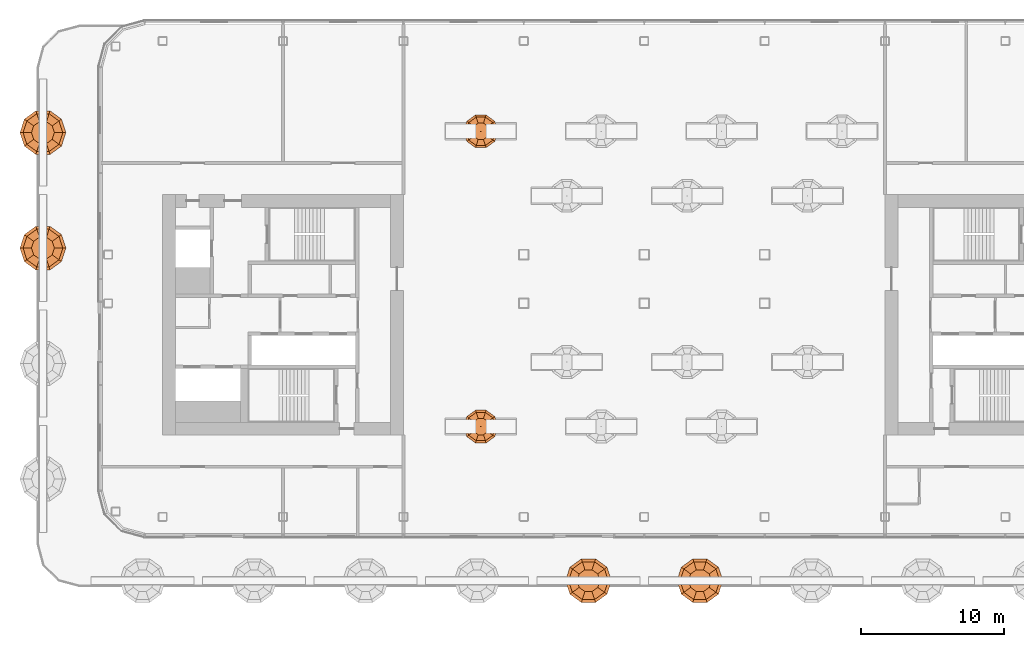
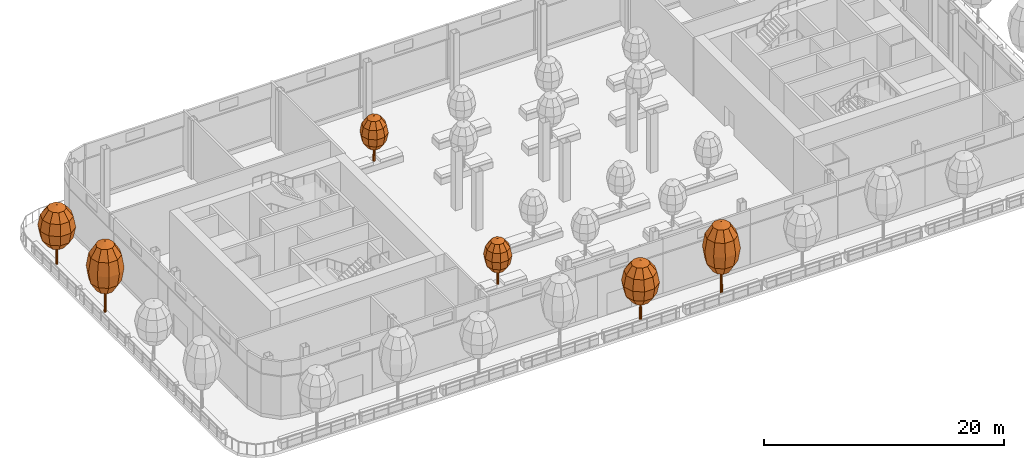
# One storey, part 37 of 41: 6 geographic elements.
"""IFC4 building model written with IfcOpenShell, lengths in metres."""

from ifc_helpers import new_model, si_unit, direction, frame, origin, place, context, subcontext, project, spatial, triangles, material, type_object, element, save


model = new_model("IFC4")

# Units and contexts
model_context = context("Model", 3, precision=1e-05, world=origin(), true_north=direction((0.0, 1.0)))
body_context = subcontext(model_context, "Body", "Model", "MODEL_VIEW")
ifc_project = project(units=[si_unit("LENGTHUNIT", "METRE"), si_unit("AREAUNIT", "SQUARE_METRE"), si_unit("VOLUMEUNIT", "CUBIC_METRE"), si_unit("PLANEANGLEUNIT", "RADIAN"), si_unit("MASSUNIT", "GRAM", prefix="KILO")], contexts=[model_context])

# Site, building, storey
site_placement = place(None, origin())
site = spatial("IfcSite", under=ifc_project, at=site_placement, CompositionType="ELEMENT")
building_placement = place(site_placement, origin())
building = spatial("IfcBuilding", under=site, at=building_placement, Name="Hakoniwa Tower and Hamabe Station Hall", CompositionType="ELEMENT")
storey_placement = place(building_placement, frame((0.0, 0.0, 180.199951171875)))
storey = spatial("IfcBuildingStorey", under=building, at=storey_placement, Name="L51", CompositionType="ELEMENT", Elevation=180.199951171875)

# Geographic elements
ifc_material_1 = material(Name="Tree foliage")
geographic_element_type_1 = type_object("IfcGeographicElementType", Name="Camellia 4.6 m", PredefinedType="USERDEFINED", material=ifc_material_1)
geographic_element_1_placement = place(storey_placement, frame((-11.39990234375, 12.800048828125, 0.60009765625)))
element("IfcGeographicElement", 1, at=geographic_element_1_placement, inside=storey, type_object=geographic_element_type_1, Name="Camellia 4-6 m", ObjectType="TREE", PredefinedType="USERDEFINED", context=body_context, shape_type="Tessellation", body=[
    triangles([(0.125, 0.0, 0.0), (0.08837890625, 0.08837890625, 0.0), (0.0, 0.125, 0.0), (-0.08837890625, 0.08837890625, 0.0), (-0.125, 0.0, 0.0), (-0.08837890625, -0.08837890625, 0.0), (0.0, -0.125, 0.0), (0.08837890625, -0.08837890625, 0.0), (0.074951171875, 0.0, 2.778564453125), (0.052978515625, 0.052978515625, 2.778564453125), (0.0, 0.074951171875, 2.778564453125), (-0.052978515625, 0.052978515625, 2.778564453125), (-0.074951171875, 0.0, 2.778564453125), (-0.052978515625, -0.052978515625, 2.778564453125), (0.0, -0.074951171875, 2.778564453125), (0.052978515625, -0.052978515625, 2.778564453125), (0.0, 0.0, 0.0), (0.0, 0.0, 2.778564453125)], [[1, 2, 10], [1, 10, 9], [17, 2, 1], [18, 9, 10], [2, 3, 11], [2, 11, 10], [17, 3, 2], [18, 10, 11], [3, 4, 12], [3, 12, 11], [17, 4, 3], [18, 11, 12], [4, 5, 13], [4, 13, 12], [17, 5, 4], [18, 12, 13], [5, 6, 14], [5, 14, 13], [17, 6, 5], [18, 13, 14], [6, 7, 15], [6, 15, 14], [17, 7, 6], [18, 14, 15], [7, 8, 16], [7, 16, 15], [17, 8, 7], [18, 15, 16], [8, 1, 9], [8, 9, 16], [17, 1, 8], [18, 16, 9]], closed=True),
    triangles([(0.0, 0.0, 1.2880859375), (0.599853515625, 0.0, 1.510009765625), (0.4853515625, 0.3525390625, 1.510009765625), (0.185302734375, 0.570556640625, 1.510009765625), (-0.185302734375, 0.570556640625, 1.510009765625), (-0.4853515625, 0.3525390625, 1.510009765625), (-0.599853515625, 0.0, 1.510009765625), (-0.4853515625, -0.3525390625, 1.510009765625), (-0.185302734375, -0.570556640625, 1.510009765625), (0.185302734375, -0.570556640625, 1.510009765625), (0.4853515625, -0.3525390625, 1.510009765625), (1.039306640625, 0.0, 2.115966796875), (0.8408203125, 0.61083984375, 2.115966796875), (0.321044921875, 0.98828125, 2.115966796875), (-0.321044921875, 0.98828125, 2.115966796875), (-0.8408203125, 0.61083984375, 2.115966796875), (-1.039306640625, 0.0, 2.115966796875), (-0.8408203125, -0.61083984375, 2.115966796875), (-0.321044921875, -0.98828125, 2.115966796875), (0.321044921875, -0.98828125, 2.115966796875), (0.8408203125, -0.61083984375, 2.115966796875), (1.199951171875, 0.0, 2.944091796875), (0.970703125, 0.705322265625, 2.944091796875), (0.370849609375, 1.14111328125, 2.944091796875), (-0.370849609375, 1.14111328125, 2.944091796875), (-0.970703125, 0.705322265625, 2.944091796875), (-1.199951171875, 0.0, 2.944091796875), (-0.970703125, -0.705322265625, 2.944091796875), (-0.370849609375, -1.14111328125, 2.944091796875), (0.370849609375, -1.14111328125, 2.944091796875), (0.970703125, -0.705322265625, 2.944091796875), (1.039306640625, 0.0, 3.77197265625), (0.8408203125, 0.61083984375, 3.77197265625), (0.321044921875, 0.98828125, 3.77197265625), (-0.321044921875, 0.98828125, 3.77197265625), (-0.8408203125, 0.61083984375, 3.77197265625), (-1.039306640625, 0.0, 3.77197265625), (-0.8408203125, -0.61083984375, 3.77197265625), (-0.321044921875, -0.98828125, 3.77197265625), (0.321044921875, -0.98828125, 3.77197265625), (0.8408203125, -0.61083984375, 3.77197265625), (0.599853515625, 0.0, 4.378173828125), (0.4853515625, 0.3525390625, 4.378173828125), (0.185302734375, 0.570556640625, 4.378173828125), (-0.185302734375, 0.570556640625, 4.378173828125), (-0.4853515625, 0.3525390625, 4.378173828125), (-0.599853515625, 0.0, 4.378173828125), (-0.4853515625, -0.3525390625, 4.378173828125), (-0.185302734375, -0.570556640625, 4.378173828125), (0.185302734375, -0.570556640625, 4.378173828125), (0.4853515625, -0.3525390625, 4.378173828125), (0.0, 0.0, 4.60009765625)], [[1, 3, 2], [1, 4, 3], [1, 5, 4], [1, 6, 5], [1, 7, 6], [1, 8, 7], [1, 9, 8], [1, 10, 9], [1, 11, 10], [1, 2, 11], [2, 3, 13], [2, 13, 12], [3, 4, 14], [3, 14, 13], [4, 5, 15], [4, 15, 14], [5, 6, 16], [5, 16, 15], [6, 7, 17], [6, 17, 16], [7, 8, 18], [7, 18, 17], [8, 9, 19], [8, 19, 18], [9, 10, 20], [9, 20, 19], [10, 11, 21], [10, 21, 20], [11, 2, 12], [11, 12, 21], [12, 13, 23], [12, 23, 22], [13, 14, 24], [13, 24, 23], [14, 15, 25], [14, 25, 24], [15, 16, 26], [15, 26, 25], [16, 17, 27], [16, 27, 26], [17, 18, 28], [17, 28, 27], [18, 19, 29], [18, 29, 28], [19, 20, 30], [19, 30, 29], [20, 21, 31], [20, 31, 30], [21, 12, 22], [21, 22, 31], [22, 23, 33], [22, 33, 32], [23, 24, 34], [23, 34, 33], [24, 25, 35], [24, 35, 34], [25, 26, 36], [25, 36, 35], [26, 27, 37], [26, 37, 36], [27, 28, 38], [27, 38, 37], [28, 29, 39], [28, 39, 38], [29, 30, 40], [29, 40, 39], [30, 31, 41], [30, 41, 40], [31, 22, 32], [31, 32, 41], [32, 33, 43], [32, 43, 42], [33, 34, 44], [33, 44, 43], [34, 35, 45], [34, 45, 44], [35, 36, 46], [35, 46, 45], [36, 37, 47], [36, 47, 46], [37, 38, 48], [37, 48, 47], [38, 39, 49], [38, 49, 48], [39, 40, 50], [39, 50, 49], [40, 41, 51], [40, 51, 50], [41, 32, 42], [41, 42, 51], [52, 42, 43], [52, 43, 44], [52, 44, 45], [52, 45, 46], [52, 46, 47], [52, 47, 48], [52, 48, 49], [52, 49, 50], [52, 50, 51], [52, 51, 42]], closed=True),
])
geographic_element_2_placement = place(storey_placement, frame((-11.39990234375, -7.800048828125, 0.60009765625)))
element("IfcGeographicElement", 2, at=geographic_element_2_placement, inside=storey, type_object=geographic_element_type_1, Name="Camellia 4-6 m", ObjectType="TREE", PredefinedType="USERDEFINED", context=body_context, shape_type="Tessellation", body=[
    triangles([(0.125, 0.0, 0.0), (0.08837890625, 0.08837890625, 0.0), (0.0, 0.125, 0.0), (-0.08837890625, 0.08837890625, 0.0), (-0.125, 0.0, 0.0), (-0.08837890625, -0.08837890625, 0.0), (0.0, -0.125, 0.0), (0.08837890625, -0.08837890625, 0.0), (0.074951171875, 0.0, 2.778564453125), (0.052978515625, 0.052978515625, 2.778564453125), (0.0, 0.074951171875, 2.778564453125), (-0.052978515625, 0.052978515625, 2.778564453125), (-0.074951171875, 0.0, 2.778564453125), (-0.052978515625, -0.052978515625, 2.778564453125), (0.0, -0.074951171875, 2.778564453125), (0.052978515625, -0.052978515625, 2.778564453125), (0.0, 0.0, 0.0), (0.0, 0.0, 2.778564453125)], [[1, 2, 10], [1, 10, 9], [17, 2, 1], [18, 9, 10], [2, 3, 11], [2, 11, 10], [17, 3, 2], [18, 10, 11], [3, 4, 12], [3, 12, 11], [17, 4, 3], [18, 11, 12], [4, 5, 13], [4, 13, 12], [17, 5, 4], [18, 12, 13], [5, 6, 14], [5, 14, 13], [17, 6, 5], [18, 13, 14], [6, 7, 15], [6, 15, 14], [17, 7, 6], [18, 14, 15], [7, 8, 16], [7, 16, 15], [17, 8, 7], [18, 15, 16], [8, 1, 9], [8, 9, 16], [17, 1, 8], [18, 16, 9]], closed=True),
    triangles([(0.0, 0.0, 1.2880859375), (0.599853515625, 0.0, 1.510009765625), (0.4853515625, 0.3525390625, 1.510009765625), (0.185302734375, 0.570556640625, 1.510009765625), (-0.185302734375, 0.570556640625, 1.510009765625), (-0.4853515625, 0.3525390625, 1.510009765625), (-0.599853515625, 0.0, 1.510009765625), (-0.4853515625, -0.3525390625, 1.510009765625), (-0.185302734375, -0.570556640625, 1.510009765625), (0.185302734375, -0.570556640625, 1.510009765625), (0.4853515625, -0.3525390625, 1.510009765625), (1.039306640625, 0.0, 2.115966796875), (0.8408203125, 0.61083984375, 2.115966796875), (0.321044921875, 0.98828125, 2.115966796875), (-0.321044921875, 0.98828125, 2.115966796875), (-0.8408203125, 0.61083984375, 2.115966796875), (-1.039306640625, 0.0, 2.115966796875), (-0.8408203125, -0.61083984375, 2.115966796875), (-0.321044921875, -0.98828125, 2.115966796875), (0.321044921875, -0.98828125, 2.115966796875), (0.8408203125, -0.61083984375, 2.115966796875), (1.199951171875, 0.0, 2.944091796875), (0.970703125, 0.705322265625, 2.944091796875), (0.370849609375, 1.14111328125, 2.944091796875), (-0.370849609375, 1.14111328125, 2.944091796875), (-0.970703125, 0.705322265625, 2.944091796875), (-1.199951171875, 0.0, 2.944091796875), (-0.970703125, -0.705322265625, 2.944091796875), (-0.370849609375, -1.14111328125, 2.944091796875), (0.370849609375, -1.14111328125, 2.944091796875), (0.970703125, -0.705322265625, 2.944091796875), (1.039306640625, 0.0, 3.77197265625), (0.8408203125, 0.61083984375, 3.77197265625), (0.321044921875, 0.98828125, 3.77197265625), (-0.321044921875, 0.98828125, 3.77197265625), (-0.8408203125, 0.61083984375, 3.77197265625), (-1.039306640625, 0.0, 3.77197265625), (-0.8408203125, -0.61083984375, 3.77197265625), (-0.321044921875, -0.98828125, 3.77197265625), (0.321044921875, -0.98828125, 3.77197265625), (0.8408203125, -0.61083984375, 3.77197265625), (0.599853515625, 0.0, 4.378173828125), (0.4853515625, 0.3525390625, 4.378173828125), (0.185302734375, 0.570556640625, 4.378173828125), (-0.185302734375, 0.570556640625, 4.378173828125), (-0.4853515625, 0.3525390625, 4.378173828125), (-0.599853515625, 0.0, 4.378173828125), (-0.4853515625, -0.3525390625, 4.378173828125), (-0.185302734375, -0.570556640625, 4.378173828125), (0.185302734375, -0.570556640625, 4.378173828125), (0.4853515625, -0.3525390625, 4.378173828125), (0.0, 0.0, 4.60009765625)], [[1, 3, 2], [1, 4, 3], [1, 5, 4], [1, 6, 5], [1, 7, 6], [1, 8, 7], [1, 9, 8], [1, 10, 9], [1, 11, 10], [1, 2, 11], [2, 3, 13], [2, 13, 12], [3, 4, 14], [3, 14, 13], [4, 5, 15], [4, 15, 14], [5, 6, 16], [5, 16, 15], [6, 7, 17], [6, 17, 16], [7, 8, 18], [7, 18, 17], [8, 9, 19], [8, 19, 18], [9, 10, 20], [9, 20, 19], [10, 11, 21], [10, 21, 20], [11, 2, 12], [11, 12, 21], [12, 13, 23], [12, 23, 22], [13, 14, 24], [13, 24, 23], [14, 15, 25], [14, 25, 24], [15, 16, 26], [15, 26, 25], [16, 17, 27], [16, 27, 26], [17, 18, 28], [17, 28, 27], [18, 19, 29], [18, 29, 28], [19, 20, 30], [19, 30, 29], [20, 21, 31], [20, 31, 30], [21, 12, 22], [21, 22, 31], [22, 23, 33], [22, 33, 32], [23, 24, 34], [23, 34, 33], [24, 25, 35], [24, 35, 34], [25, 26, 36], [25, 36, 35], [26, 27, 37], [26, 37, 36], [27, 28, 38], [27, 38, 37], [28, 29, 39], [28, 39, 38], [29, 30, 40], [29, 40, 39], [30, 31, 41], [30, 41, 40], [31, 22, 32], [31, 32, 41], [32, 33, 43], [32, 43, 42], [33, 34, 44], [33, 44, 43], [34, 35, 45], [34, 45, 44], [35, 36, 46], [35, 46, 45], [36, 37, 47], [36, 47, 46], [37, 38, 48], [37, 48, 47], [38, 39, 49], [38, 49, 48], [39, 40, 50], [39, 50, 49], [40, 41, 51], [40, 51, 50], [41, 32, 42], [41, 42, 51], [52, 42, 43], [52, 43, 44], [52, 44, 45], [52, 45, 46], [52, 46, 47], [52, 47, 48], [52, 48, 49], [52, 49, 50], [52, 50, 51], [52, 51, 42]], closed=True),
])
ifc_material_2 = material(Name="Tree foliage")
geographic_element_type_2 = type_object("IfcGeographicElementType", Name="Japanese maple 7.2 m", PredefinedType="USERDEFINED", material=ifc_material_2)
geographic_element_3_placement = place(storey_placement, frame((-41.950927734375, 4.653076171875, 0.900146484375)))
element("IfcGeographicElement", 3, at=geographic_element_3_placement, inside=storey, type_object=geographic_element_type_2, Name="Japanese maple 7-2 m", ObjectType="TREE", PredefinedType="USERDEFINED", context=body_context, shape_type="Tessellation", body=[
    triangles([(0.125, 0.0, 0.0), (0.08837890625, 0.08837890625, 0.0), (0.0, 0.125, 0.0), (-0.08837890625, 0.08837890625, 0.0), (-0.125, 0.0, 0.0), (-0.08837890625, -0.08837890625, 0.0), (0.0, -0.125, 0.0), (0.08837890625, -0.08837890625, 0.0), (0.074951171875, 0.0, 4.348876953125), (0.052978515625, 0.052978515625, 4.348876953125), (0.0, 0.074951171875, 4.348876953125), (-0.052978515625, 0.052978515625, 4.348876953125), (-0.074951171875, 0.0, 4.348876953125), (-0.052978515625, -0.052978515625, 4.348876953125), (0.0, -0.074951171875, 4.348876953125), (0.052978515625, -0.052978515625, 4.348876953125), (0.0, 0.0, 0.0), (0.0, 0.0, 4.348876953125)], [[1, 2, 10], [1, 10, 9], [17, 2, 1], [18, 9, 10], [2, 3, 11], [2, 11, 10], [17, 3, 2], [18, 10, 11], [3, 4, 12], [3, 12, 11], [17, 4, 3], [18, 11, 12], [4, 5, 13], [4, 13, 12], [17, 5, 4], [18, 12, 13], [5, 6, 14], [5, 14, 13], [17, 6, 5], [18, 13, 14], [6, 7, 15], [6, 15, 14], [17, 7, 6], [18, 14, 15], [7, 8, 16], [7, 16, 15], [17, 8, 7], [18, 15, 16], [8, 1, 9], [8, 9, 16], [17, 1, 8], [18, 16, 9]], closed=True),
    triangles([(0.0, 0.0, 2.015869140625), (0.800048828125, 0.0, 2.36328125), (0.647216796875, 0.47021484375, 2.36328125), (0.247314453125, 0.7607421875, 2.36328125), (-0.247314453125, 0.7607421875, 2.36328125), (-0.647216796875, 0.47021484375, 2.36328125), (-0.800048828125, 0.0, 2.36328125), (-0.647216796875, -0.47021484375, 2.36328125), (-0.247314453125, -0.7607421875, 2.36328125), (0.247314453125, -0.7607421875, 2.36328125), (0.647216796875, -0.47021484375, 2.36328125), (1.385498046875, 0.0, 3.31201171875), (1.12109375, 0.814453125, 3.31201171875), (0.42822265625, 1.31787109375, 3.31201171875), (-0.42822265625, 1.31787109375, 3.31201171875), (-1.12109375, 0.814453125, 3.31201171875), (-1.385498046875, 0.0, 3.31201171875), (-1.12109375, -0.814453125, 3.31201171875), (-0.42822265625, -1.31787109375, 3.31201171875), (0.42822265625, -1.31787109375, 3.31201171875), (1.12109375, -0.814453125, 3.31201171875), (1.60009765625, 0.0, 4.60791015625), (1.29443359375, 0.9404296875, 4.60791015625), (0.494384765625, 1.521728515625, 4.60791015625), (-0.494384765625, 1.521728515625, 4.60791015625), (-1.29443359375, 0.9404296875, 4.60791015625), (-1.60009765625, 0.0, 4.60791015625), (-1.29443359375, -0.9404296875, 4.60791015625), (-0.494384765625, -1.521728515625, 4.60791015625), (0.494384765625, -1.521728515625, 4.60791015625), (1.29443359375, -0.9404296875, 4.60791015625), (1.385498046875, 0.0, 5.904052734375), (1.12109375, 0.814453125, 5.904052734375), (0.42822265625, 1.31787109375, 5.904052734375), (-0.42822265625, 1.31787109375, 5.904052734375), (-1.12109375, 0.814453125, 5.904052734375), (-1.385498046875, 0.0, 5.904052734375), (-1.12109375, -0.814453125, 5.904052734375), (-0.42822265625, -1.31787109375, 5.904052734375), (0.42822265625, -1.31787109375, 5.904052734375), (1.12109375, -0.814453125, 5.904052734375), (0.800048828125, 0.0, 6.852783203125), (0.647216796875, 0.47021484375, 6.852783203125), (0.247314453125, 0.7607421875, 6.852783203125), (-0.247314453125, 0.7607421875, 6.852783203125), (-0.647216796875, 0.47021484375, 6.852783203125), (-0.800048828125, 0.0, 6.852783203125), (-0.647216796875, -0.47021484375, 6.852783203125), (-0.247314453125, -0.7607421875, 6.852783203125), (0.247314453125, -0.7607421875, 6.852783203125), (0.647216796875, -0.47021484375, 6.852783203125), (0.0, 0.0, 7.199951171875)], [[1, 3, 2], [1, 4, 3], [1, 5, 4], [1, 6, 5], [1, 7, 6], [1, 8, 7], [1, 9, 8], [1, 10, 9], [1, 11, 10], [1, 2, 11], [2, 3, 13], [2, 13, 12], [3, 4, 14], [3, 14, 13], [4, 5, 15], [4, 15, 14], [5, 6, 16], [5, 16, 15], [6, 7, 17], [6, 17, 16], [7, 8, 18], [7, 18, 17], [8, 9, 19], [8, 19, 18], [9, 10, 20], [9, 20, 19], [10, 11, 21], [10, 21, 20], [11, 2, 12], [11, 12, 21], [12, 13, 23], [12, 23, 22], [13, 14, 24], [13, 24, 23], [14, 15, 25], [14, 25, 24], [15, 16, 26], [15, 26, 25], [16, 17, 27], [16, 27, 26], [17, 18, 28], [17, 28, 27], [18, 19, 29], [18, 29, 28], [19, 20, 30], [19, 30, 29], [20, 21, 31], [20, 31, 30], [21, 12, 22], [21, 22, 31], [22, 23, 33], [22, 33, 32], [23, 24, 34], [23, 34, 33], [24, 25, 35], [24, 35, 34], [25, 26, 36], [25, 36, 35], [26, 27, 37], [26, 37, 36], [27, 28, 38], [27, 38, 37], [28, 29, 39], [28, 39, 38], [29, 30, 40], [29, 40, 39], [30, 31, 41], [30, 41, 40], [31, 22, 32], [31, 32, 41], [32, 33, 43], [32, 43, 42], [33, 34, 44], [33, 44, 43], [34, 35, 45], [34, 45, 44], [35, 36, 46], [35, 46, 45], [36, 37, 47], [36, 47, 46], [37, 38, 48], [37, 48, 47], [38, 39, 49], [38, 49, 48], [39, 40, 50], [39, 50, 49], [40, 41, 51], [40, 51, 50], [41, 32, 42], [41, 42, 51], [52, 42, 43], [52, 43, 44], [52, 44, 45], [52, 45, 46], [52, 46, 47], [52, 47, 48], [52, 48, 49], [52, 49, 50], [52, 50, 51], [52, 51, 42]], closed=True),
])
geographic_element_4_placement = place(storey_placement, frame((3.888671875, -18.551025390625, 0.900146484375)))
element("IfcGeographicElement", 4, at=geographic_element_4_placement, inside=storey, type_object=geographic_element_type_2, Name="Japanese maple 7-2 m", ObjectType="TREE", PredefinedType="USERDEFINED", context=body_context, shape_type="Tessellation", body=[
    triangles([(0.125, 0.0, 0.0), (0.08837890625, 0.08837890625, 0.0), (0.0, 0.125, 0.0), (-0.08837890625, 0.08837890625, 0.0), (-0.125, 0.0, 0.0), (-0.08837890625, -0.08837890625, 0.0), (0.0, -0.125, 0.0), (0.08837890625, -0.08837890625, 0.0), (0.074951171875, 0.0, 4.348876953125), (0.052978515625, 0.052978515625, 4.348876953125), (0.0, 0.074951171875, 4.348876953125), (-0.052978515625, 0.052978515625, 4.348876953125), (-0.074951171875, 0.0, 4.348876953125), (-0.052978515625, -0.052978515625, 4.348876953125), (0.0, -0.074951171875, 4.348876953125), (0.052978515625, -0.052978515625, 4.348876953125), (0.0, 0.0, 0.0), (0.0, 0.0, 4.348876953125)], [[1, 2, 10], [1, 10, 9], [17, 2, 1], [18, 9, 10], [2, 3, 11], [2, 11, 10], [17, 3, 2], [18, 10, 11], [3, 4, 12], [3, 12, 11], [17, 4, 3], [18, 11, 12], [4, 5, 13], [4, 13, 12], [17, 5, 4], [18, 12, 13], [5, 6, 14], [5, 14, 13], [17, 6, 5], [18, 13, 14], [6, 7, 15], [6, 15, 14], [17, 7, 6], [18, 14, 15], [7, 8, 16], [7, 16, 15], [17, 8, 7], [18, 15, 16], [8, 1, 9], [8, 9, 16], [17, 1, 8], [18, 16, 9]], closed=True),
    triangles([(0.0, 0.0, 2.015869140625), (0.800048828125, 0.0, 2.36328125), (0.647216796875, 0.47021484375, 2.36328125), (0.247314453125, 0.7607421875, 2.36328125), (-0.247314453125, 0.7607421875, 2.36328125), (-0.647216796875, 0.47021484375, 2.36328125), (-0.800048828125, 0.0, 2.36328125), (-0.647216796875, -0.47021484375, 2.36328125), (-0.247314453125, -0.7607421875, 2.36328125), (0.247314453125, -0.7607421875, 2.36328125), (0.647216796875, -0.47021484375, 2.36328125), (1.385498046875, 0.0, 3.31201171875), (1.12109375, 0.814453125, 3.31201171875), (0.42822265625, 1.31787109375, 3.31201171875), (-0.42822265625, 1.31787109375, 3.31201171875), (-1.12109375, 0.814453125, 3.31201171875), (-1.385498046875, 0.0, 3.31201171875), (-1.12109375, -0.814453125, 3.31201171875), (-0.42822265625, -1.31787109375, 3.31201171875), (0.42822265625, -1.31787109375, 3.31201171875), (1.12109375, -0.814453125, 3.31201171875), (1.60009765625, 0.0, 4.60791015625), (1.29443359375, 0.9404296875, 4.60791015625), (0.494384765625, 1.521728515625, 4.60791015625), (-0.494384765625, 1.521728515625, 4.60791015625), (-1.29443359375, 0.9404296875, 4.60791015625), (-1.60009765625, 0.0, 4.60791015625), (-1.29443359375, -0.9404296875, 4.60791015625), (-0.494384765625, -1.521728515625, 4.60791015625), (0.494384765625, -1.521728515625, 4.60791015625), (1.29443359375, -0.9404296875, 4.60791015625), (1.385498046875, 0.0, 5.904052734375), (1.12109375, 0.814453125, 5.904052734375), (0.42822265625, 1.31787109375, 5.904052734375), (-0.42822265625, 1.31787109375, 5.904052734375), (-1.12109375, 0.814453125, 5.904052734375), (-1.385498046875, 0.0, 5.904052734375), (-1.12109375, -0.814453125, 5.904052734375), (-0.42822265625, -1.31787109375, 5.904052734375), (0.42822265625, -1.31787109375, 5.904052734375), (1.12109375, -0.814453125, 5.904052734375), (0.800048828125, 0.0, 6.852783203125), (0.647216796875, 0.47021484375, 6.852783203125), (0.247314453125, 0.7607421875, 6.852783203125), (-0.247314453125, 0.7607421875, 6.852783203125), (-0.647216796875, 0.47021484375, 6.852783203125), (-0.800048828125, 0.0, 6.852783203125), (-0.647216796875, -0.47021484375, 6.852783203125), (-0.247314453125, -0.7607421875, 6.852783203125), (0.247314453125, -0.7607421875, 6.852783203125), (0.647216796875, -0.47021484375, 6.852783203125), (0.0, 0.0, 7.199951171875)], [[1, 3, 2], [1, 4, 3], [1, 5, 4], [1, 6, 5], [1, 7, 6], [1, 8, 7], [1, 9, 8], [1, 10, 9], [1, 11, 10], [1, 2, 11], [2, 3, 13], [2, 13, 12], [3, 4, 14], [3, 14, 13], [4, 5, 15], [4, 15, 14], [5, 6, 16], [5, 16, 15], [6, 7, 17], [6, 17, 16], [7, 8, 18], [7, 18, 17], [8, 9, 19], [8, 19, 18], [9, 10, 20], [9, 20, 19], [10, 11, 21], [10, 21, 20], [11, 2, 12], [11, 12, 21], [12, 13, 23], [12, 23, 22], [13, 14, 24], [13, 24, 23], [14, 15, 25], [14, 25, 24], [15, 16, 26], [15, 26, 25], [16, 17, 27], [16, 27, 26], [17, 18, 28], [17, 28, 27], [18, 19, 29], [18, 29, 28], [19, 20, 30], [19, 30, 29], [20, 21, 31], [20, 31, 30], [21, 12, 22], [21, 22, 31], [22, 23, 33], [22, 33, 32], [23, 24, 34], [23, 34, 33], [24, 25, 35], [24, 35, 34], [25, 26, 36], [25, 36, 35], [26, 27, 37], [26, 37, 36], [27, 28, 38], [27, 38, 37], [28, 29, 39], [28, 39, 38], [29, 30, 40], [29, 40, 39], [30, 31, 41], [30, 41, 40], [31, 22, 32], [31, 32, 41], [32, 33, 43], [32, 43, 42], [33, 34, 44], [33, 44, 43], [34, 35, 45], [34, 45, 44], [35, 36, 46], [35, 46, 45], [36, 37, 47], [36, 47, 46], [37, 38, 48], [37, 48, 47], [38, 39, 49], [38, 49, 48], [39, 40, 50], [39, 50, 49], [40, 41, 51], [40, 51, 50], [41, 32, 42], [41, 42, 51], [52, 42, 43], [52, 43, 44], [52, 44, 45], [52, 45, 46], [52, 46, 47], [52, 47, 48], [52, 48, 49], [52, 49, 50], [52, 50, 51], [52, 51, 42]], closed=True),
])
ifc_material_3 = material(Name="Tree foliage")
geographic_element_type_3 = type_object("IfcGeographicElementType", Name="Osmanthus 6.0 m", PredefinedType="USERDEFINED", material=ifc_material_3)
geographic_element_5_placement = place(storey_placement, frame((-41.950927734375, 12.708984375, 0.900146484375)))
element("IfcGeographicElement", 5, at=geographic_element_5_placement, inside=storey, type_object=geographic_element_type_3, Name="Osmanthus 6-0 m", ObjectType="TREE", PredefinedType="USERDEFINED", context=body_context, shape_type="Tessellation", body=[
    triangles([(0.125, 0.0, 0.0), (0.08837890625, 0.08837890625, 0.0), (0.0, 0.125, 0.0), (-0.08837890625, 0.08837890625, 0.0), (-0.125, 0.0, 0.0), (-0.08837890625, -0.08837890625, 0.0), (0.0, -0.125, 0.0), (0.08837890625, -0.08837890625, 0.0), (0.074951171875, 0.0, 3.6240234375), (0.052978515625, 0.052978515625, 3.6240234375), (0.0, 0.074951171875, 3.6240234375), (-0.052978515625, 0.052978515625, 3.6240234375), (-0.074951171875, 0.0, 3.6240234375), (-0.052978515625, -0.052978515625, 3.6240234375), (0.0, -0.074951171875, 3.6240234375), (0.052978515625, -0.052978515625, 3.6240234375), (0.0, 0.0, 0.0), (0.0, 0.0, 3.6240234375)], [[1, 2, 10], [1, 10, 9], [17, 2, 1], [18, 9, 10], [2, 3, 11], [2, 11, 10], [17, 3, 2], [18, 10, 11], [3, 4, 12], [3, 12, 11], [17, 4, 3], [18, 11, 12], [4, 5, 13], [4, 13, 12], [17, 5, 4], [18, 12, 13], [5, 6, 14], [5, 14, 13], [17, 6, 5], [18, 13, 14], [6, 7, 15], [6, 15, 14], [17, 7, 6], [18, 14, 15], [7, 8, 16], [7, 16, 15], [17, 8, 7], [18, 15, 16], [8, 1, 9], [8, 9, 16], [17, 1, 8], [18, 16, 9]], closed=True),
    triangles([(0.0, 0.0, 1.679931640625), (0.800048828125, 0.0, 1.969482421875), (0.647216796875, 0.47021484375, 1.969482421875), (0.247314453125, 0.7607421875, 1.969482421875), (-0.247314453125, 0.7607421875, 1.969482421875), (-0.647216796875, 0.47021484375, 1.969482421875), (-0.800048828125, 0.0, 1.969482421875), (-0.647216796875, -0.47021484375, 1.969482421875), (-0.247314453125, -0.7607421875, 1.969482421875), (0.247314453125, -0.7607421875, 1.969482421875), (0.647216796875, -0.47021484375, 1.969482421875), (1.385498046875, 0.0, 2.760009765625), (1.12109375, 0.814453125, 2.760009765625), (0.42822265625, 1.31787109375, 2.760009765625), (-0.42822265625, 1.31787109375, 2.760009765625), (-1.12109375, 0.814453125, 2.760009765625), (-1.385498046875, 0.0, 2.760009765625), (-1.12109375, -0.814453125, 2.760009765625), (-0.42822265625, -1.31787109375, 2.760009765625), (0.42822265625, -1.31787109375, 2.760009765625), (1.12109375, -0.814453125, 2.760009765625), (1.60009765625, 0.0, 3.840087890625), (1.29443359375, 0.9404296875, 3.840087890625), (0.494384765625, 1.521728515625, 3.840087890625), (-0.494384765625, 1.521728515625, 3.840087890625), (-1.29443359375, 0.9404296875, 3.840087890625), (-1.60009765625, 0.0, 3.840087890625), (-1.29443359375, -0.9404296875, 3.840087890625), (-0.494384765625, -1.521728515625, 3.840087890625), (0.494384765625, -1.521728515625, 3.840087890625), (1.29443359375, -0.9404296875, 3.840087890625), (1.385498046875, 0.0, 4.919921875), (1.12109375, 0.814453125, 4.919921875), (0.42822265625, 1.31787109375, 4.919921875), (-0.42822265625, 1.31787109375, 4.919921875), (-1.12109375, 0.814453125, 4.919921875), (-1.385498046875, 0.0, 4.919921875), (-1.12109375, -0.814453125, 4.919921875), (-0.42822265625, -1.31787109375, 4.919921875), (0.42822265625, -1.31787109375, 4.919921875), (1.12109375, -0.814453125, 4.919921875), (0.800048828125, 0.0, 5.710693359375), (0.647216796875, 0.47021484375, 5.710693359375), (0.247314453125, 0.7607421875, 5.710693359375), (-0.247314453125, 0.7607421875, 5.710693359375), (-0.647216796875, 0.47021484375, 5.710693359375), (-0.800048828125, 0.0, 5.710693359375), (-0.647216796875, -0.47021484375, 5.710693359375), (-0.247314453125, -0.7607421875, 5.710693359375), (0.247314453125, -0.7607421875, 5.710693359375), (0.647216796875, -0.47021484375, 5.710693359375), (0.0, 0.0, 6.0)], [[1, 3, 2], [1, 4, 3], [1, 5, 4], [1, 6, 5], [1, 7, 6], [1, 8, 7], [1, 9, 8], [1, 10, 9], [1, 11, 10], [1, 2, 11], [2, 3, 13], [2, 13, 12], [3, 4, 14], [3, 14, 13], [4, 5, 15], [4, 15, 14], [5, 6, 16], [5, 16, 15], [6, 7, 17], [6, 17, 16], [7, 8, 18], [7, 18, 17], [8, 9, 19], [8, 19, 18], [9, 10, 20], [9, 20, 19], [10, 11, 21], [10, 21, 20], [11, 2, 12], [11, 12, 21], [12, 13, 23], [12, 23, 22], [13, 14, 24], [13, 24, 23], [14, 15, 25], [14, 25, 24], [15, 16, 26], [15, 26, 25], [16, 17, 27], [16, 27, 26], [17, 18, 28], [17, 28, 27], [18, 19, 29], [18, 29, 28], [19, 20, 30], [19, 30, 29], [20, 21, 31], [20, 31, 30], [21, 12, 22], [21, 22, 31], [22, 23, 33], [22, 33, 32], [23, 24, 34], [23, 34, 33], [24, 25, 35], [24, 35, 34], [25, 26, 36], [25, 36, 35], [26, 27, 37], [26, 37, 36], [27, 28, 38], [27, 38, 37], [28, 29, 39], [28, 39, 38], [29, 30, 40], [29, 40, 39], [30, 31, 41], [30, 41, 40], [31, 22, 32], [31, 32, 41], [32, 33, 43], [32, 43, 42], [33, 34, 44], [33, 44, 43], [34, 35, 45], [34, 45, 44], [35, 36, 46], [35, 46, 45], [36, 37, 47], [36, 47, 46], [37, 38, 48], [37, 48, 47], [38, 39, 49], [38, 49, 48], [39, 40, 50], [39, 50, 49], [40, 41, 51], [40, 51, 50], [41, 32, 42], [41, 42, 51], [52, 42, 43], [52, 43, 44], [52, 44, 45], [52, 45, 46], [52, 46, 47], [52, 47, 48], [52, 48, 49], [52, 49, 50], [52, 50, 51], [52, 51, 42]], closed=True),
])
geographic_element_6_placement = place(storey_placement, frame((-3.888671875, -18.551025390625, 0.900146484375)))
element("IfcGeographicElement", 6, at=geographic_element_6_placement, inside=storey, type_object=geographic_element_type_3, Name="Osmanthus 6-0 m", ObjectType="TREE", PredefinedType="USERDEFINED", context=body_context, shape_type="Tessellation", body=[
    triangles([(0.125, 0.0, 0.0), (0.08837890625, 0.08837890625, 0.0), (0.0, 0.125, 0.0), (-0.08837890625, 0.08837890625, 0.0), (-0.125, 0.0, 0.0), (-0.08837890625, -0.08837890625, 0.0), (0.0, -0.125, 0.0), (0.08837890625, -0.08837890625, 0.0), (0.074951171875, 0.0, 3.6240234375), (0.052978515625, 0.052978515625, 3.6240234375), (0.0, 0.074951171875, 3.6240234375), (-0.052978515625, 0.052978515625, 3.6240234375), (-0.074951171875, 0.0, 3.6240234375), (-0.052978515625, -0.052978515625, 3.6240234375), (0.0, -0.074951171875, 3.6240234375), (0.052978515625, -0.052978515625, 3.6240234375), (0.0, 0.0, 0.0), (0.0, 0.0, 3.6240234375)], [[1, 2, 10], [1, 10, 9], [17, 2, 1], [18, 9, 10], [2, 3, 11], [2, 11, 10], [17, 3, 2], [18, 10, 11], [3, 4, 12], [3, 12, 11], [17, 4, 3], [18, 11, 12], [4, 5, 13], [4, 13, 12], [17, 5, 4], [18, 12, 13], [5, 6, 14], [5, 14, 13], [17, 6, 5], [18, 13, 14], [6, 7, 15], [6, 15, 14], [17, 7, 6], [18, 14, 15], [7, 8, 16], [7, 16, 15], [17, 8, 7], [18, 15, 16], [8, 1, 9], [8, 9, 16], [17, 1, 8], [18, 16, 9]], closed=True),
    triangles([(0.0, 0.0, 1.679931640625), (0.800048828125, 0.0, 1.969482421875), (0.647216796875, 0.47021484375, 1.969482421875), (0.247314453125, 0.7607421875, 1.969482421875), (-0.247314453125, 0.7607421875, 1.969482421875), (-0.647216796875, 0.47021484375, 1.969482421875), (-0.800048828125, 0.0, 1.969482421875), (-0.647216796875, -0.47021484375, 1.969482421875), (-0.247314453125, -0.7607421875, 1.969482421875), (0.247314453125, -0.7607421875, 1.969482421875), (0.647216796875, -0.47021484375, 1.969482421875), (1.385498046875, 0.0, 2.760009765625), (1.12109375, 0.814453125, 2.760009765625), (0.42822265625, 1.31787109375, 2.760009765625), (-0.42822265625, 1.31787109375, 2.760009765625), (-1.12109375, 0.814453125, 2.760009765625), (-1.385498046875, 0.0, 2.760009765625), (-1.12109375, -0.814453125, 2.760009765625), (-0.42822265625, -1.31787109375, 2.760009765625), (0.42822265625, -1.31787109375, 2.760009765625), (1.12109375, -0.814453125, 2.760009765625), (1.60009765625, 0.0, 3.840087890625), (1.29443359375, 0.9404296875, 3.840087890625), (0.494384765625, 1.521728515625, 3.840087890625), (-0.494384765625, 1.521728515625, 3.840087890625), (-1.29443359375, 0.9404296875, 3.840087890625), (-1.60009765625, 0.0, 3.840087890625), (-1.29443359375, -0.9404296875, 3.840087890625), (-0.494384765625, -1.521728515625, 3.840087890625), (0.494384765625, -1.521728515625, 3.840087890625), (1.29443359375, -0.9404296875, 3.840087890625), (1.385498046875, 0.0, 4.919921875), (1.12109375, 0.814453125, 4.919921875), (0.42822265625, 1.31787109375, 4.919921875), (-0.42822265625, 1.31787109375, 4.919921875), (-1.12109375, 0.814453125, 4.919921875), (-1.385498046875, 0.0, 4.919921875), (-1.12109375, -0.814453125, 4.919921875), (-0.42822265625, -1.31787109375, 4.919921875), (0.42822265625, -1.31787109375, 4.919921875), (1.12109375, -0.814453125, 4.919921875), (0.800048828125, 0.0, 5.710693359375), (0.647216796875, 0.47021484375, 5.710693359375), (0.247314453125, 0.7607421875, 5.710693359375), (-0.247314453125, 0.7607421875, 5.710693359375), (-0.647216796875, 0.47021484375, 5.710693359375), (-0.800048828125, 0.0, 5.710693359375), (-0.647216796875, -0.47021484375, 5.710693359375), (-0.247314453125, -0.7607421875, 5.710693359375), (0.247314453125, -0.7607421875, 5.710693359375), (0.647216796875, -0.47021484375, 5.710693359375), (0.0, 0.0, 6.0)], [[1, 3, 2], [1, 4, 3], [1, 5, 4], [1, 6, 5], [1, 7, 6], [1, 8, 7], [1, 9, 8], [1, 10, 9], [1, 11, 10], [1, 2, 11], [2, 3, 13], [2, 13, 12], [3, 4, 14], [3, 14, 13], [4, 5, 15], [4, 15, 14], [5, 6, 16], [5, 16, 15], [6, 7, 17], [6, 17, 16], [7, 8, 18], [7, 18, 17], [8, 9, 19], [8, 19, 18], [9, 10, 20], [9, 20, 19], [10, 11, 21], [10, 21, 20], [11, 2, 12], [11, 12, 21], [12, 13, 23], [12, 23, 22], [13, 14, 24], [13, 24, 23], [14, 15, 25], [14, 25, 24], [15, 16, 26], [15, 26, 25], [16, 17, 27], [16, 27, 26], [17, 18, 28], [17, 28, 27], [18, 19, 29], [18, 29, 28], [19, 20, 30], [19, 30, 29], [20, 21, 31], [20, 31, 30], [21, 12, 22], [21, 22, 31], [22, 23, 33], [22, 33, 32], [23, 24, 34], [23, 34, 33], [24, 25, 35], [24, 35, 34], [25, 26, 36], [25, 36, 35], [26, 27, 37], [26, 37, 36], [27, 28, 38], [27, 38, 37], [28, 29, 39], [28, 39, 38], [29, 30, 40], [29, 40, 39], [30, 31, 41], [30, 41, 40], [31, 22, 32], [31, 32, 41], [32, 33, 43], [32, 43, 42], [33, 34, 44], [33, 44, 43], [34, 35, 45], [34, 45, 44], [35, 36, 46], [35, 46, 45], [36, 37, 47], [36, 47, 46], [37, 38, 48], [37, 48, 47], [38, 39, 49], [38, 49, 48], [39, 40, 50], [39, 50, 49], [40, 41, 51], [40, 51, 50], [41, 32, 42], [41, 42, 51], [52, 42, 43], [52, 43, 44], [52, 44, 45], [52, 45, 46], [52, 46, 47], [52, 47, 48], [52, 48, 49], [52, 49, 50], [52, 50, 51], [52, 51, 42]], closed=True),
])

save(model, "model.ifc")
